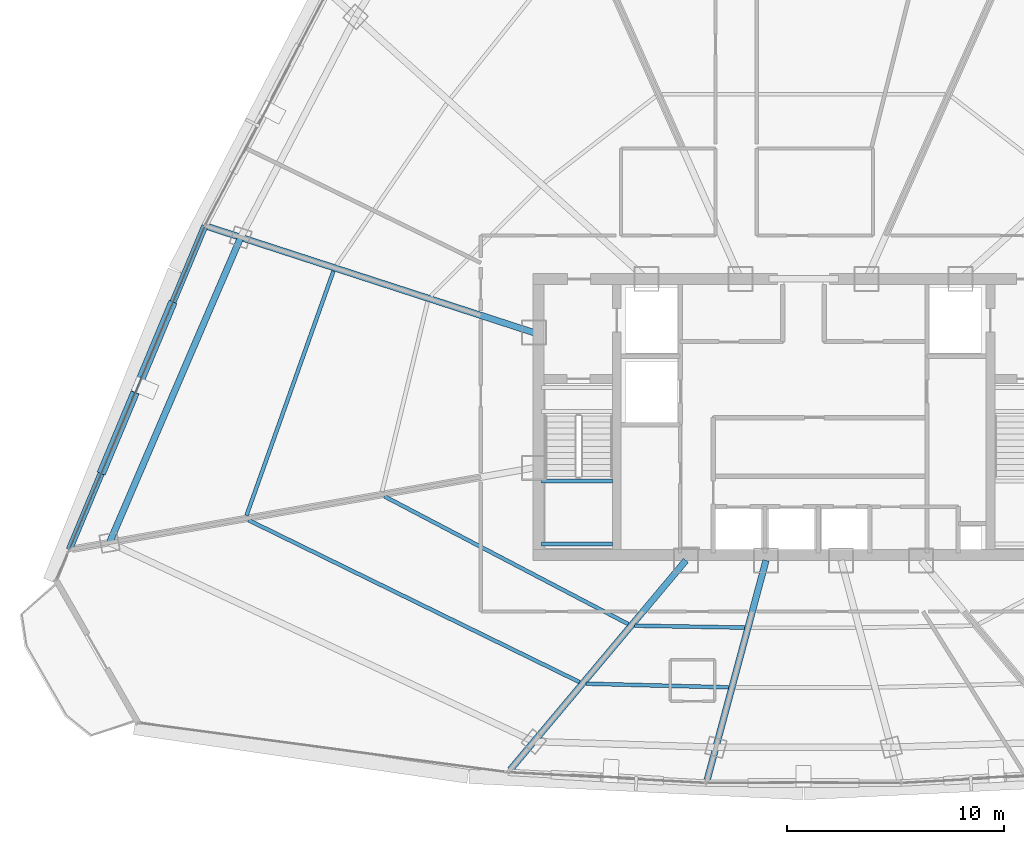
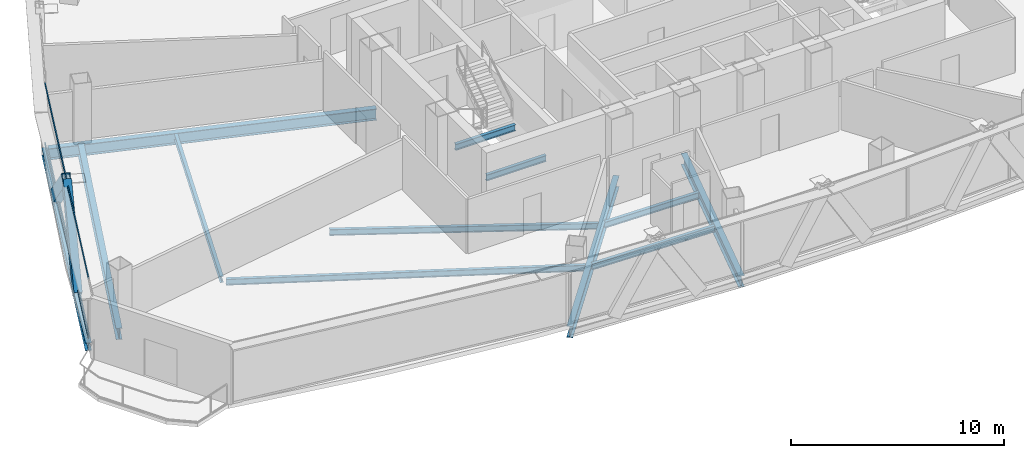
# One storey, part 7 of 37: 12 beams, 4 members, 1 element without a shape of its own.
"""IFC4 building model written with IfcOpenShell, lengths in metres."""

from ifc_helpers import new_model, si_unit, direction, frame, origin, origin_2d, place, context, subcontext, project, spatial, hollow_rectangle, i_section, extrude, source, transform, mapped, material, layer, layer_set, material_profile, profile_set, type_object, element, aggregate, save


model = new_model("IFC4")

# Units and contexts
model_context = context("Model", 3, precision=1e-05, world=origin(), true_north=direction((0.0, 1.0)))
body_context = subcontext(model_context, "Body", "Model", "MODEL_VIEW")
ifc_project = project(units=[si_unit("LENGTHUNIT", "METRE"), si_unit("AREAUNIT", "SQUARE_METRE"), si_unit("VOLUMEUNIT", "CUBIC_METRE"), si_unit("PLANEANGLEUNIT", "RADIAN"), si_unit("MASSUNIT", "GRAM", prefix="KILO"), si_unit("THERMODYNAMICTEMPERATUREUNIT", "KELVIN"), si_unit("POWERUNIT", "WATT")], contexts=[model_context])

# Site, building, storey
site_placement = place(None, origin())
site = spatial("IfcSite", under=ifc_project, at=site_placement, CompositionType="ELEMENT")
building_placement = place(site_placement, origin())
building = spatial("IfcBuilding", under=site, at=building_placement, Name="Yunzhuo Pagoda Commons", CompositionType="ELEMENT")
storey_placement = place(building_placement, frame((0.0, 0.0, 259.449951171875)))
storey = spatial("IfcBuildingStorey", under=building, at=storey_placement, Name="L65", CompositionType="ELEMENT", Elevation=259.449951171875)

# Beams
ifc_material_1 = material(Name="Structural steel Q355B", Category="steel")
ifc_material_profile_1 = material_profile(ifc_material_1, i_section(OverallWidth=0.175048828125, OverallDepth=0.35009765625, WebThickness=0.007080078125, FlangeThickness=0.010986328125, at=origin_2d()), Name="Structural steel Q355B")
ifc_profile_set_1 = profile_set([ifc_material_profile_1], Name="Structural steel Q355B")
beam_type_1 = type_object("IfcBeamType", Name="B-JS2 Joist HN 350x175x7x11", PredefinedType="JOIST", material=ifc_profile_set_1)
shared_shape_1 = source(origin(), body_context, "Body", "SweptSolid", [
    extrude(i_section(OverallWidth=0.175048828125, OverallDepth=0.35009765625, WebThickness=0.007080078125, FlangeThickness=0.010986328125, at=origin_2d()), origin(), (0.0, 0.0, 1.0), 3.25),
])
for number, where, z_axis, x_axis, name in (
    (1, (35.949951171875, 28.0, 1.489990234375), (1.0, 0.0, 0.0), (0.0, 1.0, 0.0), "L65 ST1 landing support beam 71A"),
    (2, (35.949951171875, 30.89990234375, 1.489990234375), (1.0, 0.0, 0.0), (0.0, 1.0, 0.0), "L65 ST1 landing support beam 71B"),
):
    element("IfcBeam", number, at=place(storey_placement, frame(where, z_axis=z_axis, x_axis=x_axis)), inside=storey, type_object=beam_type_1, Name=name, PredefinedType="JOIST", context=body_context, shape_type="MappedRepresentation", body=[
        mapped(shared_shape_1, transform((0.0, 0.0, 0.0), scale=1.0)),
    ])
ifc_material_profile_2 = material_profile(ifc_material_1, i_section(OverallWidth=0.300048828125, OverallDepth=0.64990234375, WebThickness=0.012939453125, FlangeThickness=0.02197265625, at=origin_2d()), Name="Structural steel Q355B")
ifc_profile_set_2 = profile_set([ifc_material_profile_2], Name="Structural steel Q355B")
beam_type_2 = type_object("IfcBeamType", Name="B-RG2 Beam HN 650x300x13x22", PredefinedType="BEAM", material=ifc_profile_set_2)
shared_shape_2 = source(origin(), body_context, "Body", "SweptSolid", [
    extrude(i_section(OverallWidth=0.300048828125, OverallDepth=0.64990234375, WebThickness=0.012939453125, FlangeThickness=0.02197265625, at=origin_2d()), origin(), (0.0, 0.0, 1.0), 15.287841796875),
])
beam_1_placement = place(storey_placement, frame((22.101806640625, 42.114990234375, -0.5849609375), z_axis=(-0.394815333819, -0.918760497726, 0.0), x_axis=(0.918760497726, -0.394815333819, 0.0)))
element("IfcBeam", 3, at=beam_1_placement, inside=storey, type_object=beam_type_2, Name="L65 column-ring beam 11", PredefinedType="BEAM", context=body_context, shape_type="MappedRepresentation", body=[
    mapped(shared_shape_2, transform((0.0, 0.0, 0.0), scale=1.0)),
])
shared_shape_3 = source(origin(), body_context, "Body", "SweptSolid", [
    extrude(i_section(OverallWidth=0.175048828125, OverallDepth=0.35009765625, WebThickness=0.007080078125, FlangeThickness=0.010986328125, at=origin_2d()), origin(), (0.0, 0.0, 1.0), 5.0556640625),
])
beam_2_placement = place(storey_placement, frame((40.228515625, 24.24609375, -0.43505859375), z_axis=(0.999848878561, -0.017384477, 0.0), x_axis=(0.017384477, 0.999848878561, 0.0)))
element("IfcBeam", 4, at=beam_2_placement, inside=storey, type_object=beam_type_1, Name="L65 composite ring joist 1.1", PredefinedType="JOIST", context=body_context, shape_type="MappedRepresentation", body=[
    mapped(shared_shape_3, transform((0.0, 0.0, 0.0), scale=1.0)),
])
shared_shape_4 = source(origin(), body_context, "Body", "SweptSolid", [
    extrude(i_section(OverallWidth=0.175048828125, OverallDepth=0.35009765625, WebThickness=0.007080078125, FlangeThickness=0.010986328125, at=origin_2d()), origin(), (0.0, 0.0, 1.0), 6.558349609375),
])
beam_3_placement = place(storey_placement, frame((37.990234375, 21.577392578125, -0.43505859375), z_axis=(0.99966910323, -0.025723220017, 0.0), x_axis=(0.025723220017, 0.99966910323, 0.0)))
element("IfcBeam", 5, at=beam_3_placement, inside=storey, type_object=beam_type_1, Name="L65 composite ring joist 2.1", PredefinedType="JOIST", context=body_context, shape_type="MappedRepresentation", body=[
    mapped(shared_shape_4, transform((0.0, 0.0, 0.0), scale=1.0)),
])
shared_shape_5 = source(origin(), body_context, "Body", "SweptSolid", [
    extrude(i_section(OverallWidth=0.175048828125, OverallDepth=0.35009765625, WebThickness=0.007080078125, FlangeThickness=0.010986328125, at=origin_2d()), origin(), (0.0, 0.0, 1.0), 12.666259765625),
])
beam_4_placement = place(storey_placement, frame((28.70849609375, 30.19970703125, -0.43505859375), z_axis=(0.885841344078, -0.463988268302, 0.0), x_axis=(0.463988268302, 0.885841344078, 0.0)))
element("IfcBeam", 6, at=beam_4_placement, inside=storey, type_object=beam_type_1, Name="L65 composite ring joist 1.12", PredefinedType="JOIST", context=body_context, shape_type="MappedRepresentation", body=[
    mapped(shared_shape_5, transform((0.0, 0.0, 0.0), scale=1.0)),
])
shared_shape_6 = source(origin(), body_context, "Body", "SweptSolid", [
    extrude(i_section(OverallWidth=0.175048828125, OverallDepth=0.35009765625, WebThickness=0.007080078125, FlangeThickness=0.010986328125, at=origin_2d()), origin(), (0.0, 0.0, 1.0), 16.95361328125),
])
beam_5_placement = place(storey_placement, frame((22.459716796875, 29.101806640625, -0.43505859375), z_axis=(0.898261717675, -0.439460904473, 0.0), x_axis=(0.439460904473, 0.898261717675, 0.0)))
element("IfcBeam", 7, at=beam_5_placement, inside=storey, type_object=beam_type_1, Name="L65 composite ring joist 2.12", PredefinedType="JOIST", context=body_context, shape_type="MappedRepresentation", body=[
    mapped(shared_shape_6, transform((0.0, 0.0, 0.0), scale=1.0)),
])
shared_shape_7 = source(origin(), body_context, "Body", "SweptSolid", [
    extrude(i_section(OverallWidth=0.175048828125, OverallDepth=0.35009765625, WebThickness=0.007080078125, FlangeThickness=0.010986328125, at=origin_2d()), origin(), (0.0, 0.0, 1.0), 11.929931640625),
])
beam_6_placement = place(storey_placement, frame((26.36767578125, 40.5615234375, -0.43505859375), z_axis=(-0.335086374925, -0.942187413066, 0.0), x_axis=(0.942187413066, -0.335086374925, 0.0)))
element("IfcBeam", 8, at=beam_6_placement, inside=storey, type_object=beam_type_1, Name="L65 composite ring joist 2.11", PredefinedType="JOIST", context=body_context, shape_type="MappedRepresentation", body=[
    mapped(shared_shape_7, transform((0.0, 0.0, 0.0), scale=1.0)),
])
shared_shape_8 = source(origin(), body_context, "Body", "SweptSolid", [
    extrude(i_section(OverallWidth=0.300048828125, OverallDepth=0.64990234375, WebThickness=0.012939453125, FlangeThickness=0.02197265625, at=origin_2d()), origin(), (0.0, 0.0, 1.0), 12.575927734375),
])
beam_7_placement = place(storey_placement, frame((34.504150390625, 17.6162109375, -0.5849609375), z_axis=(0.642789074184, 0.766043214258, 0.0), x_axis=(-0.766043214258, 0.642789074184, 0.0)))
element("IfcBeam", 9, at=beam_7_placement, inside=storey, type_object=beam_type_2, Name="L65 radial floor girder F1C1", PredefinedType="BEAM", context=body_context, shape_type="MappedRepresentation", body=[
    mapped(shared_shape_8, transform((0.0, 0.0, 0.0), scale=1.0)),
])
shared_shape_9 = source(origin(), body_context, "Body", "SweptSolid", [
    extrude(i_section(OverallWidth=0.300048828125, OverallDepth=0.64990234375, WebThickness=0.012939453125, FlangeThickness=0.02197265625, at=origin_2d()), origin(), (0.0, 0.0, 1.0), 10.4521484375),
])
beam_8_placement = place(storey_placement, frame((43.56640625, 17.154052734375, -0.5849609375), z_axis=(0.258851670318, 0.965917083798, 0.0), x_axis=(-0.965917083798, 0.258851670318, 0.0)))
element("IfcBeam", 10, at=beam_8_placement, inside=storey, type_object=beam_type_2, Name="L65 radial floor girder F1C2", PredefinedType="BEAM", context=body_context, shape_type="MappedRepresentation", body=[
    mapped(shared_shape_9, transform((0.0, 0.0, 0.0), scale=1.0)),
])
shared_shape_10 = source(origin(), body_context, "Body", "SweptSolid", [
    extrude(i_section(OverallWidth=0.300048828125, OverallDepth=0.64990234375, WebThickness=0.012939453125, FlangeThickness=0.02197265625, at=origin_2d()), origin(), (0.0, 0.0, 1.0), 15.7705078125),
])
beam_9_placement = place(storey_placement, frame((20.601318359375, 42.602294921875, -0.5849609375), z_axis=(0.951058525128, -0.309010811754, 0.0), x_axis=(0.309010811754, 0.951058525128, 0.0)))
element("IfcBeam", 11, at=beam_9_placement, inside=storey, type_object=beam_type_2, Name="L65 radial floor girder F3C3", PredefinedType="BEAM", context=body_context, shape_type="MappedRepresentation", body=[
    mapped(shared_shape_10, transform((0.0, 0.0, 0.0), scale=1.0)),
])
ifc_material_profile_3 = material_profile(ifc_material_1, i_section(OverallWidth=0.300048828125, OverallDepth=0.43994140625, WebThickness=0.010986328125, FlangeThickness=0.01806640625, at=origin_2d()), Name="Structural steel Q355B")
ifc_profile_set_3 = profile_set([ifc_material_profile_3], Name="Structural steel Q355B")
beam_type_3 = type_object("IfcBeamType", Name="B-SP2 Beam HM 440x300x11x18", PredefinedType="BEAM", material=ifc_profile_set_3)
shared_shape_11 = source(origin(), body_context, "Body", "SweptSolid", [
    extrude(i_section(OverallWidth=0.300048828125, OverallDepth=0.43994140625, WebThickness=0.010986328125, FlangeThickness=0.01806640625, at=origin_2d()), origin(), (0.0, 0.0, 1.0), 16.160888671875),
])
beam_10_placement = place(storey_placement, frame((20.453857421875, 42.650390625, -0.47998046875), z_axis=(-0.386114471907, -0.922450873805, 0.0), x_axis=(0.922450873805, -0.386114471907, 0.0)))
element("IfcBeam", 12, at=beam_10_placement, inside=storey, type_object=beam_type_3, Name="L65 facade edge spandrel beam F3.3", PredefinedType="BEAM", context=body_context, shape_type="MappedRepresentation", body=[
    mapped(shared_shape_11, transform((0.0, 0.0, 0.0), scale=1.0)),
])

# Members
ifc_material_profile_4 = material_profile(ifc_material_1, hollow_rectangle(XDim=0.39990234375, YDim=0.719970703125, WallThickness=0.02392578125, at=origin_2d()), Name="Structural steel Q355B")
ifc_profile_set_4 = profile_set([ifc_material_profile_4], Name="Structural steel Q355B")
member_type_1 = type_object("IfcMemberType", Name="M-DL2 Brace BOX 720x400x24", PredefinedType="BRACE", material=ifc_profile_set_4)
shared_shape_12 = source(origin(), body_context, "Body", "SweptSolid", [
    extrude(hollow_rectangle(XDim=0.39990234375, YDim=0.719970703125, WallThickness=0.02392578125, at=origin_2d()), origin(), (0.0, 0.0, 1.0), 5.498779296875),
])
for number, where, z_axis, x_axis, name in (
    (13, (18.893798828125, 38.92333984375, -0.260009765625), (-0.283665074079, -0.677794806838, 0.678327594581), (0.922471518477, -0.386065146833, 0.0), "L65 facade diamond brace F3.3L"),
    (14, (15.77392578125, 31.469482421875, -0.260009765625), (0.283714437249, 0.677762266761, 0.678339463581), (-0.922440988301, 0.386138088126, 0.0), "L65 facade diamond brace F3.3R"),
):
    element("IfcMember", number, at=place(storey_placement, frame(where, z_axis=z_axis, x_axis=x_axis)), inside=storey, type_object=member_type_1, Name=name, PredefinedType="BRACE", context=body_context, shape_type="MappedRepresentation", body=[
        mapped(shared_shape_12, transform((0.0, 0.0, 0.0), scale=1.0)),
    ])

# Curtain wall, members
ifc_material_2 = material(Name="Anodized aluminium 6063-T6", Category="aluminium")
ifc_layer = layer(ifc_material_2, 0.139892578125)
ifc_layer_set = layer_set([ifc_layer], Name="Anodized aluminium 6063-T6")
curtain_wall_type = type_object("IfcCurtainWallType", Name="CW-HI High-Zone Ribbon Curtain Wall", PredefinedType="NOTDEFINED", material=ifc_layer_set)
curtain_wall_placement = place(storey_placement, origin())
curtain_wall = element("IfcCurtainWall", 15, at=curtain_wall_placement, inside=storey, type_object=curtain_wall_type, Name="L65 curtain wall CW-L65-F3B4", PredefinedType="NOTDEFINED")
ifc_material_profile_5 = material_profile(ifc_material_2, hollow_rectangle(XDim=0.054931640625, YDim=0.1201171875, WallThickness=0.00341796875, at=origin_2d()), Name="Anodized aluminium 6063-T6")
ifc_profile_set_5 = profile_set([ifc_material_profile_5], Name="Anodized aluminium 6063-T6")
member_type_2 = type_object("IfcMemberType", Name="CW-HI-T Transom RHS 120x55x3.5", PredefinedType="USERDEFINED", material=ifc_profile_set_5)
shared_shape_13 = source(origin(), body_context, "Body", "SweptSolid", [
    extrude(hollow_rectangle(XDim=0.054931640625, YDim=0.1201171875, WallThickness=0.00341796875, at=origin_2d()), origin(), (0.0, 0.0, 1.0), 16.041015625),
])
member_1_placement = place(storey_placement, frame((20.4306640625, 42.594970703125, 0.027587890625), z_axis=(-0.386096525634, -0.922458385453, 0.0), x_axis=(0.922458385453, -0.386096525634, 0.0)))
member_1 = element("IfcMember", 16, at=member_1_placement, type_object=member_type_2, Name="CW transom 1.1", ObjectType="TRANSOM", PredefinedType="USERDEFINED", context=body_context, shape_type="MappedRepresentation", body=[
    mapped(shared_shape_13, transform((0.0, 0.0, 0.0), scale=1.0)),
])
member_2_placement = place(storey_placement, frame((20.4306640625, 42.594970703125, 3.442626953125), z_axis=(-0.386096525634, -0.922458385453, 0.0), x_axis=(0.922458385453, -0.386096525634, 0.0)))
member_2 = element("IfcMember", 17, at=member_2_placement, type_object=member_type_2, Name="CW transom 1.2", ObjectType="TRANSOM", PredefinedType="USERDEFINED", context=body_context, shape_type="MappedRepresentation", body=[
    mapped(shared_shape_13, transform((0.0, 0.0, 0.0), scale=1.0)),
])
aggregate(curtain_wall, [member_1, member_2])

save(model, "model.ifc")
